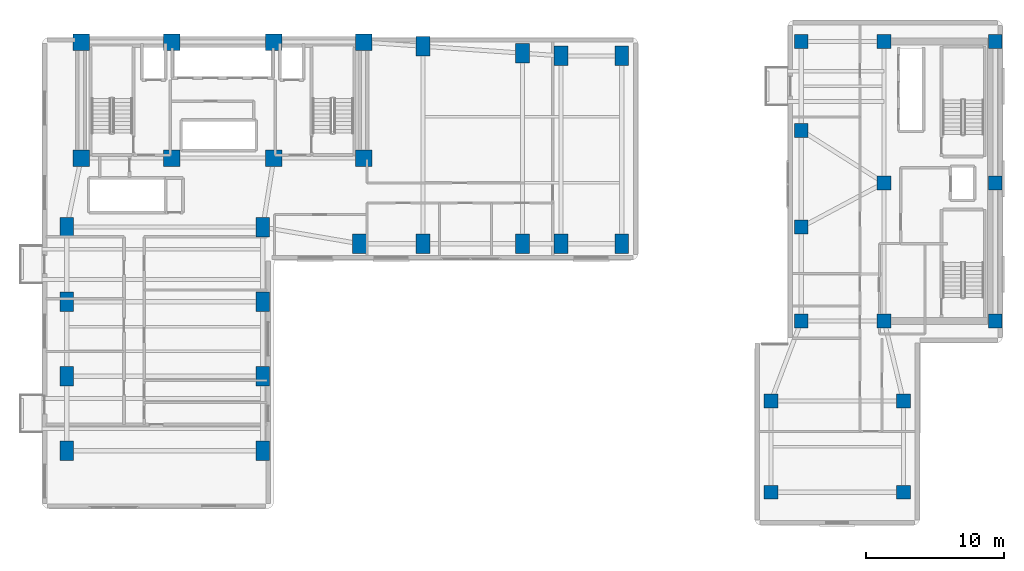
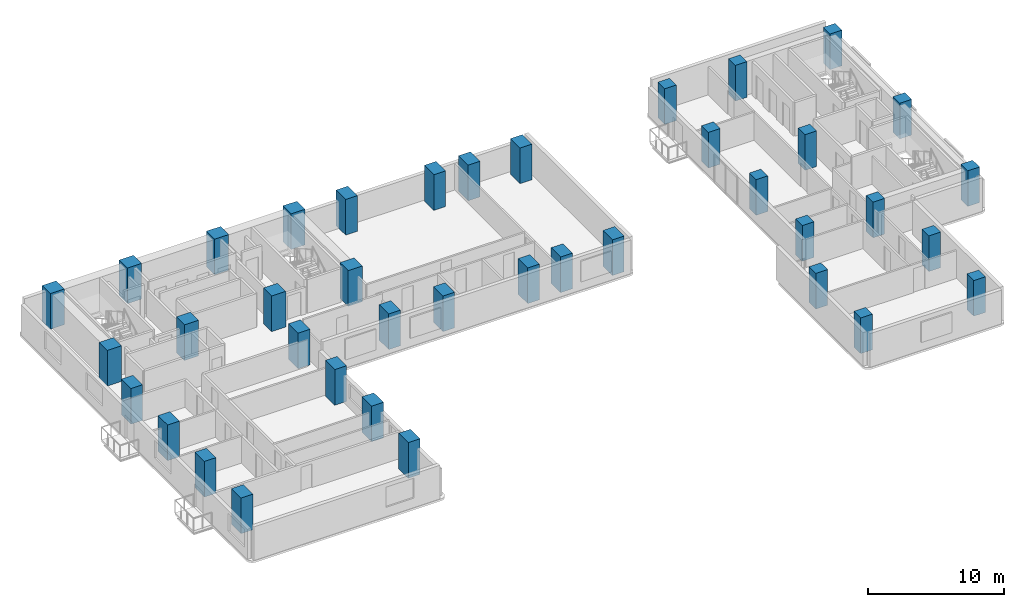
# One storey, part 1 of 17: 39 columns.
"""IFC4 building model written with IfcOpenShell, lengths in metres."""

from ifc_helpers import new_model, si_unit, direction, frame, origin, origin_2d, place, context, subcontext, project, spatial, rectangle, extrude, material, material_profile, profile_set, type_object, element, save


model = new_model("IFC4")

# Units and contexts
model_context = context("Model", 3, precision=1e-05, world=origin(), true_north=direction((0.0, 1.0)))
body_context = subcontext(model_context, "Body", "Model", "MODEL_VIEW")
ifc_project = project(units=[si_unit("LENGTHUNIT", "METRE"), si_unit("AREAUNIT", "SQUARE_METRE"), si_unit("VOLUMEUNIT", "CUBIC_METRE"), si_unit("PLANEANGLEUNIT", "RADIAN"), si_unit("MASSUNIT", "GRAM", prefix="KILO")], contexts=[model_context])

# Site, building, storey
site_placement = place(None, origin())
site = spatial("IfcSite", under=ifc_project, at=site_placement, CompositionType="ELEMENT")
building_placement = place(site_placement, origin())
building = spatial("IfcBuilding", under=site, at=building_placement, Name="Kuzgunbayir Cultural Tower", CompositionType="ELEMENT")
storey_placement = place(building_placement, frame((0.0, 0.0, 50.0)))
storey = spatial("IfcBuildingStorey", under=building, at=storey_placement, Name="L13", CompositionType="ELEMENT", Elevation=50.0)

# Columns
ifc_material = material(Name="Concrete C60/75", Category="concrete")
ifc_material_profile_1 = material_profile(ifc_material, rectangle(XDim=1.199951171875, YDim=1.199951171875, at=origin_2d()), Name="RC 1200x1200")
ifc_profile_set_1 = profile_set([ifc_material_profile_1], Name="Concrete C60/75")
column_type_1 = type_object("IfcColumnType", Name="COL-CORE-1200", PredefinedType="COLUMN", material=ifc_profile_set_1)
for number, where, z_axis, x_axis, name in (
    (1, (6.449951171875, 33.800048828125, 0.0), (0.0, 0.0, 1.0), (1.0, 0.0, 0.0), "L13 T1 Core Boundary Column CC1-1"),
    (2, (13.0, 33.800048828125, 0.0), (0.0, 0.0, 1.0), (1.0, 0.0, 0.0), "L13 T1 Core Boundary Column CC1-2"),
    (3, (20.39990234375, 33.800048828125, 0.0), (0.0, 0.0, 1.0), (1.0, 0.0, 0.0), "L13 T1 Core Boundary Column CC1-3"),
    (4, (26.89990234375, 33.800048828125, 0.0), (0.0, 0.0, 1.0), (1.0, 0.0, 0.0), "L13 T1 Core Boundary Column CC1-4"),
    (5, (6.449951171875, 42.199951171875, 0.0), (0.0, 0.0, 1.0), (1.0, 0.0, 0.0), "L13 T1 Core Boundary Column CC1-5"),
    (6, (13.0, 42.199951171875, 0.0), (0.0, 0.0, 1.0), (1.0, 0.0, 0.0), "L13 T1 Core Boundary Column CC1-6"),
    (7, (20.39990234375, 42.199951171875, 0.0), (0.0, 0.0, 1.0), (1.0, 0.0, 0.0), "L13 T1 Core Boundary Column CC1-7"),
    (8, (26.89990234375, 42.199951171875, 0.0), (0.0, 0.0, 1.0), (1.0, 0.0, 0.0), "L13 T1 Core Boundary Column CC1-8"),
):
    element("IfcColumn", number, at=place(storey_placement, frame(where, z_axis=z_axis, x_axis=x_axis)), inside=storey, type_object=column_type_1, Name=name, PredefinedType="COLUMN", context=body_context, shape_type="SweptSolid", body=[
        extrude(rectangle(XDim=1.199951171875, YDim=1.199951171875, at=origin_2d()), origin(), (0.0, 0.0, 1.0), 3.199951171875),
    ])
ifc_material_profile_2 = material_profile(ifc_material, rectangle(XDim=1.0, YDim=1.39990234375, at=origin_2d()), Name="RC 1400x1000")
ifc_profile_set_2 = profile_set([ifc_material_profile_2], Name="Concrete C60/75")
column_type_2 = type_object("IfcColumnType", Name="COL-T1-1400x1000", PredefinedType="COLUMN", material=ifc_profile_set_2)
for number, where, z_axis, x_axis, name in (
    (9, (5.39990234375, 12.60009765625, 0.0), (0.0, 0.0, 1.0), (1.0, 0.0, 0.0), "L13 Tower 1 Wing A Column T1A-W-1"),
    (10, (19.60009765625, 12.60009765625, 0.0), (0.0, 0.0, 1.0), (1.0, 0.0, 0.0), "L13 Tower 1 Wing A Column T1A-E-1"),
    (11, (5.39990234375, 18.0, 0.0), (0.0, 0.0, 1.0), (1.0, 0.0, 0.0), "L13 Tower 1 Wing A Column T1A-W-2"),
    (12, (19.60009765625, 18.0, 0.0), (0.0, 0.0, 1.0), (1.0, 0.0, 0.0), "L13 Tower 1 Wing A Column T1A-E-2"),
    (13, (5.39990234375, 23.39990234375, 0.0), (0.0, 0.0, 1.0), (1.0, 0.0, 0.0), "L13 Tower 1 Wing A Column T1A-W-3"),
    (14, (19.60009765625, 23.39990234375, 0.0), (0.0, 0.0, 1.0), (1.0, 0.0, 0.0), "L13 Tower 1 Wing A Column T1A-E-3"),
    (15, (5.39990234375, 28.800048828125, 0.0), (0.0, 0.0, 1.0), (1.0, 0.0, 0.0), "L13 Tower 1 Wing A Column T1A-W-4"),
    (16, (19.60009765625, 28.800048828125, 0.0), (0.0, 0.0, 1.0), (1.0, 0.0, 0.0), "L13 Tower 1 Wing A Column T1A-E-4"),
    (17, (26.60009765625, 27.60009765625, 0.0), (0.0, 0.0, 1.0), (1.0, 0.0, 0.0), "L13 Tower 1 Wing B Column T1B-1-1"),
    (18, (31.199951171875, 27.60009765625, 0.0), (0.0, 0.0, 1.0), (1.0, 0.0, 0.0), "L13 Tower 1 Wing B Column T1B-2-1"),
    (19, (31.199951171875, 41.89990234375, 0.0), (0.0, 0.0, 1.0), (1.0, 0.0, 0.0), "L13 Tower 1 Wing B Column T1B-2-2"),
    (20, (38.39990234375, 27.60009765625, 0.0), (0.0, 0.0, 1.0), (1.0, 0.0, 0.0), "L13 Tower 1 Wing B Column T1B-3-1"),
    (21, (38.39990234375, 41.39990234375, 0.0), (0.0, 0.0, 1.0), (1.0, 0.0, 0.0), "L13 Tower 1 Wing B Column T1B-3-2"),
    (22, (41.199951171875, 27.60009765625, 0.0), (0.0, 0.0, 1.0), (1.0, 0.0, 0.0), "L13 Tower 1 Wing B Column T1B-4-1"),
    (23, (41.199951171875, 41.199951171875, 0.0), (0.0, 0.0, 1.0), (1.0, 0.0, 0.0), "L13 Tower 1 Wing B Column T1B-4-2"),
    (24, (45.60009765625, 27.60009765625, 0.0), (0.0, 0.0, 1.0), (1.0, 0.0, 0.0), "L13 Tower 1 Wing B Column T1B-5-1"),
    (25, (45.60009765625, 41.199951171875, 0.0), (0.0, 0.0, 1.0), (1.0, 0.0, 0.0), "L13 Tower 1 Wing B Column T1B-5-2"),
):
    element("IfcColumn", number, at=place(storey_placement, frame(where, z_axis=z_axis, x_axis=x_axis)), inside=storey, type_object=column_type_2, Name=name, PredefinedType="COLUMN", context=body_context, shape_type="SweptSolid", body=[
        extrude(rectangle(XDim=1.0, YDim=1.39990234375, at=origin_2d()), origin(), (0.0, 0.0, 1.0), 3.199951171875),
    ])
ifc_material_profile_3 = material_profile(ifc_material, rectangle(XDim=1.0, YDim=1.0, at=origin_2d()), Name="RC 1000x1000")
ifc_profile_set_3 = profile_set([ifc_material_profile_3], Name="Concrete C60/75")
column_type_3 = type_object("IfcColumnType", Name="COL-T2-1000", PredefinedType="COLUMN", material=ifc_profile_set_3)
for number, where, z_axis, x_axis, name in (
    (26, (64.60009765625, 22.0, 0.0), (0.0, 0.0, 1.0), (1.0, 0.0, 0.0), "L13 T2 Core Boundary Column CC2-1"),
    (27, (72.64990234375, 22.0, 0.0), (0.0, 0.0, 1.0), (1.0, 0.0, 0.0), "L13 T2 Core Boundary Column CC2-2"),
    (28, (64.60009765625, 32.0, 0.0), (0.0, 0.0, 1.0), (1.0, 0.0, 0.0), "L13 T2 Core Boundary Column CC2-3"),
    (29, (72.64990234375, 32.0, 0.0), (0.0, 0.0, 1.0), (1.0, 0.0, 0.0), "L13 T2 Core Boundary Column CC2-4"),
    (30, (64.60009765625, 42.25, 0.0), (0.0, 0.0, 1.0), (1.0, 0.0, 0.0), "L13 T2 Core Boundary Column CC2-5"),
    (31, (72.64990234375, 42.25, 0.0), (0.0, 0.0, 1.0), (1.0, 0.0, 0.0), "L13 T2 Core Boundary Column CC2-6"),
):
    element("IfcColumn", number, at=place(storey_placement, frame(where, z_axis=z_axis, x_axis=x_axis)), inside=storey, type_object=column_type_3, Name=name, PredefinedType="COLUMN", context=body_context, shape_type="SweptSolid", body=[
        extrude(rectangle(XDim=1.0, YDim=1.0, at=origin_2d()), origin(), (0.0, 0.0, 1.0), 3.199951171875),
    ])
ifc_material_profile_4 = material_profile(ifc_material, rectangle(XDim=1.0, YDim=1.0, at=origin_2d()), Name="RC 1000x1000")
ifc_profile_set_4 = profile_set([ifc_material_profile_4], Name="Concrete C60/75")
column_type_4 = type_object("IfcColumnType", Name="COL-T2-1000-EXT", PredefinedType="COLUMN", material=ifc_profile_set_4)
for number, where, z_axis, x_axis, name in (
    (32, (58.60009765625, 22.0, 0.0), (0.0, 0.0, 1.0), (1.0, 0.0, 0.0), "L13 Companion Wing A Column T2A-W-1"),
    (33, (58.60009765625, 28.800048828125, 0.0), (0.0, 0.0, 1.0), (1.0, 0.0, 0.0), "L13 Companion Wing A Column T2A-W-2"),
    (34, (58.60009765625, 35.800048828125, 0.0), (0.0, 0.0, 1.0), (1.0, 0.0, 0.0), "L13 Companion Wing A Column T2A-W-3"),
    (35, (58.60009765625, 42.25, 0.0), (0.0, 0.0, 1.0), (1.0, 0.0, 0.0), "L13 Companion Wing A Column T2A-W-4"),
    (36, (56.39990234375, 9.60009765625, 0.0), (0.0, 0.0, 1.0), (1.0, 0.0, 0.0), "L13 Companion Wing B Column T2B-1-1"),
    (37, (56.39990234375, 16.199951171875, 0.0), (0.0, 0.0, 1.0), (1.0, 0.0, 0.0), "L13 Companion Wing B Column T2B-1-2"),
    (38, (66.0, 9.60009765625, 0.0), (0.0, 0.0, 1.0), (1.0, 0.0, 0.0), "L13 Companion Wing B Column T2B-2-1"),
    (39, (66.0, 16.199951171875, 0.0), (0.0, 0.0, 1.0), (1.0, 0.0, 0.0), "L13 Companion Wing B Column T2B-2-2"),
):
    element("IfcColumn", number, at=place(storey_placement, frame(where, z_axis=z_axis, x_axis=x_axis)), inside=storey, type_object=column_type_4, Name=name, PredefinedType="COLUMN", context=body_context, shape_type="SweptSolid", body=[
        extrude(rectangle(XDim=1.0, YDim=1.0, at=origin_2d()), origin(), (0.0, 0.0, 1.0), 3.199951171875),
    ])

save(model, "model.ifc")
